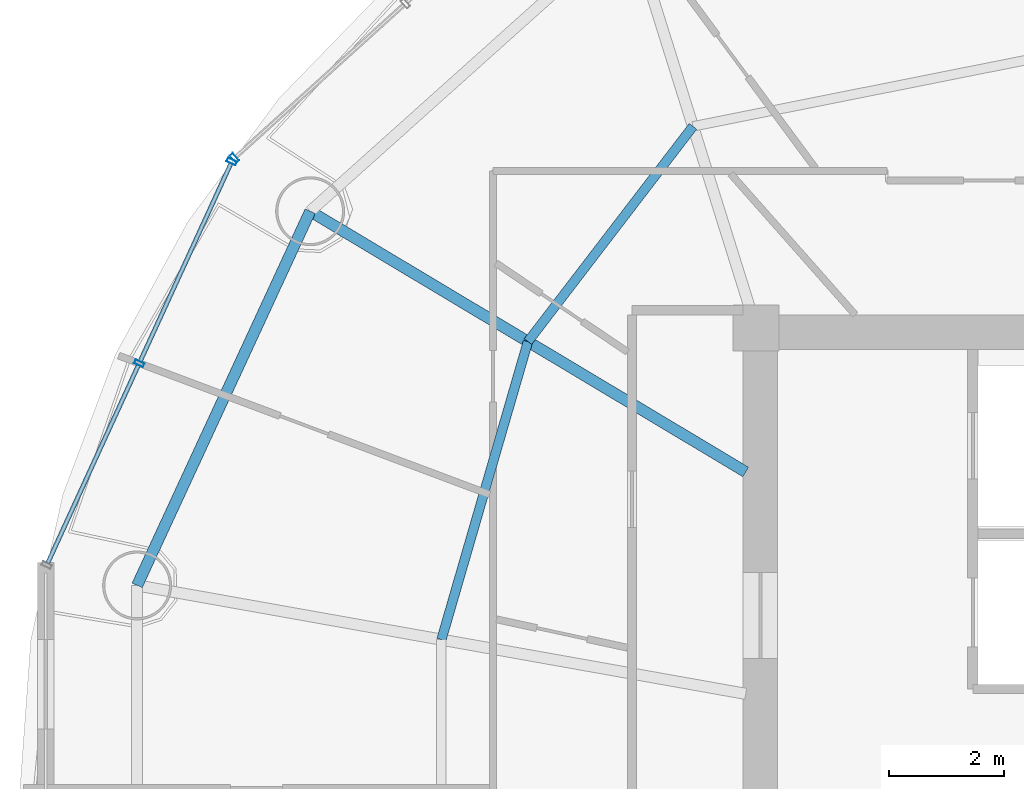
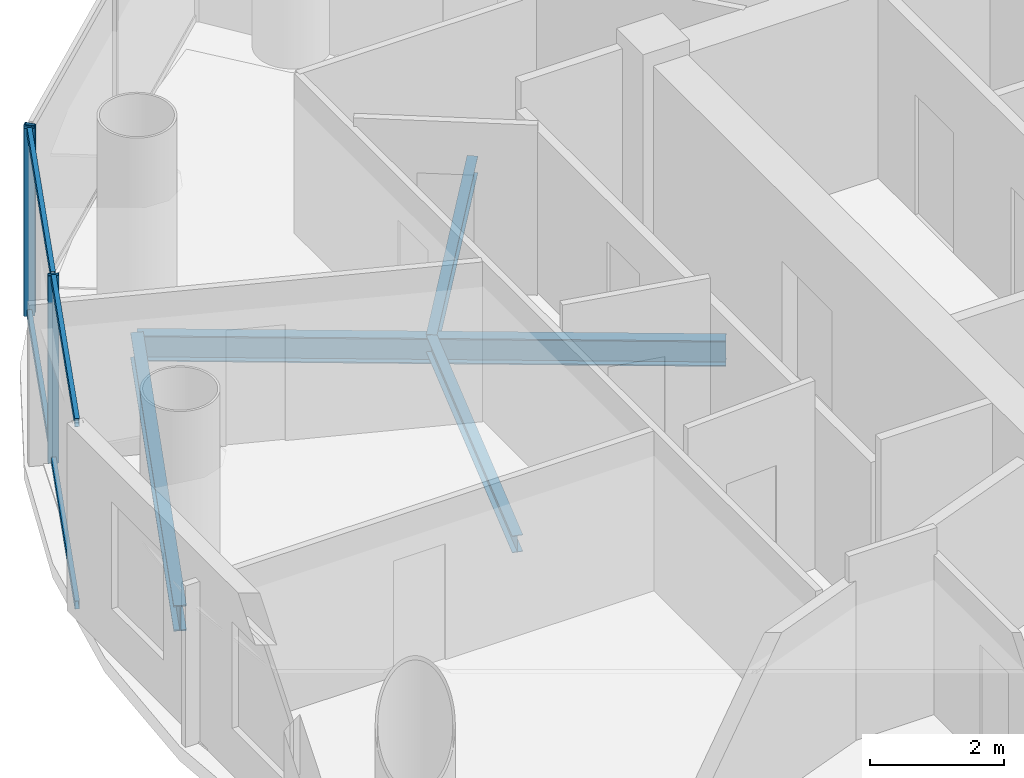
# One storey, part 8 of 26: 7 members, 4 beams, 2 elements without a shape of their own.
"""IFC4 building model written with IfcOpenShell, lengths in metres."""

from ifc_helpers import new_model, si_unit, direction, frame, origin, origin_2d, place, context, subcontext, project, spatial, hollow_rectangle, i_section, extrude, source, transform, mapped, material, material_profile, profile_set, type_object, element, aggregate, save


model = new_model("IFC4")

# Units and contexts
model_context = context("Model", 3, precision=1e-05, world=origin(), true_north=direction((-0.2419218956, 0.970295726276)))
body_context = subcontext(model_context, "Body", "Model", "MODEL_VIEW")
ifc_project = project(units=[si_unit("LENGTHUNIT", "METRE"), si_unit("AREAUNIT", "SQUARE_METRE"), si_unit("VOLUMEUNIT", "CUBIC_METRE"), si_unit("PLANEANGLEUNIT", "RADIAN"), si_unit("MASSUNIT", "GRAM", prefix="KILO")], contexts=[model_context])

# Site, building, storey
site_placement = place(None, origin())
site = spatial("IfcSite", under=ifc_project, at=site_placement, CompositionType="ELEMENT")
building_placement = place(site_placement, origin())
building = spatial("IfcBuilding", under=site, at=building_placement, Name="Cobrevalo Terracotta Tower", CompositionType="ELEMENT")
storey_placement = place(building_placement, frame((0.0, 0.0, 206.0)))
storey = spatial("IfcBuildingStorey", under=building, at=storey_placement, Name="L54", CompositionType="ELEMENT", Elevation=206.0)

# Beams
ifc_material_1 = material(Name="Steel S355", Category="steel")
ifc_material_profile_1 = material_profile(ifc_material_1, i_section(OverallWidth=0.194091796875, OverallDepth=0.468994140625, WebThickness=0.011474609375, FlangeThickness=0.0205078125, at=origin_2d()), Name="W 460x106")
ifc_profile_set_1 = profile_set([ifc_material_profile_1], Name="Steel S355")
beam_type_1 = type_object("IfcBeamType", Name="Structural Beam W 460x106 (Steel S355)", PredefinedType="BEAM", material=ifc_profile_set_1)
beam_1_placement = place(storey_placement, frame((21.245849609375, 36.828125, -0.49951171875), z_axis=(0.858046392192, -0.513572184651, 0.0), x_axis=(0.513572184651, 0.858046392192, 0.0)))
element("IfcBeam", 1, at=beam_1_placement, inside=storey, type_object=beam_type_1, Name="L54 radial floor girder 07", PredefinedType="BEAM", context=body_context, shape_type="SweptSolid", body=[
    extrude(i_section(OverallWidth=0.194091796875, OverallDepth=0.468994140625, WebThickness=0.011474609375, FlangeThickness=0.0205078125, at=origin_2d()), origin(), (0.0, 0.0, 1.0), 8.827392578125),
])
ifc_material_profile_2 = material_profile(ifc_material_1, i_section(OverallWidth=0.1650390625, OverallDepth=0.31005859375, WebThickness=0.005859375, FlangeThickness=0.009765625, at=origin_2d()), Name="W 310x38.7")
ifc_profile_set_2 = profile_set([ifc_material_profile_2], Name="Steel S355")
beam_type_2 = type_object("IfcBeamType", Name="Structural Joist W 310x38.7 (Steel S355)", PredefinedType="JOIST", material=ifc_profile_set_2)
beam_2_placement = place(storey_placement, frame((27.902587890625, 38.303955078125, -0.419921875), z_axis=(-0.608464146296, -0.793581364872, 0.0), x_axis=(0.793581364872, -0.608464146296, 0.0)))
element("IfcBeam", 2, at=beam_2_placement, inside=storey, type_object=beam_type_2, Name="L54 circumferential secondary floor joist 06", PredefinedType="JOIST", context=body_context, shape_type="SweptSolid", body=[
    extrude(i_section(OverallWidth=0.1650390625, OverallDepth=0.31005859375, WebThickness=0.005859375, FlangeThickness=0.009765625, at=origin_2d()), origin(), (0.0, 0.0, 1.0), 4.716064453125),
])
beam_3_placement = place(storey_placement, frame((25.032958984375, 34.561279296875, -0.419921875), z_axis=(-0.278769817131, -0.960357948401, 0.0), x_axis=(0.960357948401, -0.278769817131, 0.0)))
element("IfcBeam", 3, at=beam_3_placement, inside=storey, type_object=beam_type_2, Name="L54 circumferential secondary floor joist 07", PredefinedType="JOIST", context=body_context, shape_type="SweptSolid", body=[
    extrude(i_section(OverallWidth=0.1650390625, OverallDepth=0.31005859375, WebThickness=0.005859375, FlangeThickness=0.009765625, at=origin_2d()), origin(), (0.0, 0.0, 1.0), 5.396484375),
])
ifc_material_profile_3 = material_profile(ifc_material_1, i_section(OverallWidth=0.194091796875, OverallDepth=0.468994140625, WebThickness=0.011474609375, FlangeThickness=0.0205078125, at=origin_2d()), Name="W 460x106")
ifc_profile_set_3 = profile_set([ifc_material_profile_3], Name="Steel S355")
beam_type_3 = type_object("IfcBeamType", Name="Structural Spandrel W 460x106 (Steel S355)", PredefinedType="SPANDREL", material=ifc_profile_set_3)
beam_4_placement = place(storey_placement, frame((21.245849609375, 36.828125, -0.49951171875), z_axis=(-0.419705965131, -0.907660125176, 0.0), x_axis=(0.907660125176, -0.419705965131, 0.0)))
element("IfcBeam", 4, at=beam_4_placement, inside=storey, type_object=beam_type_3, Name="L54 perimeter ring spandrel 07", PredefinedType="SPANDREL", context=body_context, shape_type="SweptSolid", body=[
    extrude(i_section(OverallWidth=0.194091796875, OverallDepth=0.468994140625, WebThickness=0.011474609375, FlangeThickness=0.0205078125, at=origin_2d()), origin(), (0.0, 0.0, 1.0), 7.168701171875),
])

# Curtain wall, members
ifc_material_2 = material(Name="Anodized aluminium", Category="aluminium")
curtain_wall_type = type_object("IfcCurtainWallType", Name="Mid-tower high-wind unitised curtain wall CW-U2", PredefinedType="NOTDEFINED", material=ifc_material_2)
curtain_wall_1_placement = place(storey_placement, origin())
curtain_wall_1 = element("IfcCurtainWall", 5, at=curtain_wall_1_placement, inside=storey, type_object=curtain_wall_type, Name="L54 curtain wall CW-L54-S07", PredefinedType="NOTDEFINED")
ifc_material_profile_4 = material_profile(ifc_material_2, hollow_rectangle(XDim=0.074951171875, YDim=0.14990234375, WallThickness=0.00439453125, at=origin_2d()), Name="CWT 75x150")
ifc_profile_set_4 = profile_set([ifc_material_profile_4], Name="Anodized aluminium")
member_type_1 = type_object("IfcMemberType", Name="Tower unitised aluminium transom 75x150", PredefinedType="USERDEFINED", material=ifc_profile_set_4)
shared_shape_1 = source(origin(), body_context, "Body", "SweptSolid", [
    extrude(hollow_rectangle(XDim=0.074951171875, YDim=0.14990234375, WallThickness=0.00439453125, at=origin_2d()), origin(), (0.0, 0.0, 1.0), 3.780029296875),
])
member_1_placement = place(storey_placement, frame((19.865478515625, 37.6552734375, 0.050048828125), z_axis=(-0.416705859352, -0.909041377926, 0.0), x_axis=(0.909041377926, -0.416705859352, 0.0)))
member_1 = element("IfcMember", 6, at=member_1_placement, type_object=member_type_1, Name="CW-L54-S07 transom B01-T1", ObjectType="TRANSOM", PredefinedType="USERDEFINED", context=body_context, shape_type="MappedRepresentation", body=[
    mapped(shared_shape_1, transform((0.0, 0.0, 0.0), scale=1.0)),
])
member_2_placement = place(storey_placement, frame((19.865478515625, 37.6552734375, 3.385009765625), z_axis=(-0.416705859352, -0.909041377926, 0.0), x_axis=(0.909041377926, -0.416705859352, 0.0)))
member_2 = element("IfcMember", 7, at=member_2_placement, type_object=member_type_1, Name="CW-L54-S07 transom B01-T2", ObjectType="TRANSOM", PredefinedType="USERDEFINED", context=body_context, shape_type="MappedRepresentation", body=[
    mapped(shared_shape_1, transform((0.0, 0.0, 0.0), scale=1.0)),
])
member_3_placement = place(storey_placement, frame((18.2568359375, 34.146484375, 0.050048828125), z_axis=(-0.416705859352, -0.909041377926, 0.0), x_axis=(0.909041377926, -0.416705859352, 0.0)))
member_3 = element("IfcMember", 8, at=member_3_placement, type_object=member_type_1, Name="CW-L54-S07 transom B02-T1", ObjectType="TRANSOM", PredefinedType="USERDEFINED", context=body_context, shape_type="MappedRepresentation", body=[
    mapped(shared_shape_1, transform((0.0, 0.0, 0.0), scale=1.0)),
])
member_4_placement = place(storey_placement, frame((18.2568359375, 34.146484375, 3.385009765625), z_axis=(-0.416705859352, -0.909041377926, 0.0), x_axis=(0.909041377926, -0.416705859352, 0.0)))
member_4 = element("IfcMember", 9, at=member_4_placement, type_object=member_type_1, Name="CW-L54-S07 transom B02-T2", ObjectType="TRANSOM", PredefinedType="USERDEFINED", context=body_context, shape_type="MappedRepresentation", body=[
    mapped(shared_shape_1, transform((0.0, 0.0, 0.0), scale=1.0)),
])

# Curtain wall, member
curtain_wall_2_placement = place(storey_placement, origin())
curtain_wall_2 = element("IfcCurtainWall", 10, at=curtain_wall_2_placement, inside=storey, type_object=curtain_wall_type, Name="L54 curtain wall CW-L54-S06", PredefinedType="NOTDEFINED")
ifc_material_profile_5 = material_profile(ifc_material_2, hollow_rectangle(XDim=0.070068359375, YDim=0.169921875, WallThickness=0.00439453125, at=origin_2d()), Name="CWM 70x170")
ifc_profile_set_5 = profile_set([ifc_material_profile_5], Name="Anodized aluminium")
member_type_2 = type_object("IfcMemberType", Name="Upper tower unitised mullion 70x170", PredefinedType="MULLION", material=ifc_profile_set_5)
shared_shape_2 = source(origin(), body_context, "Body", "SweptSolid", [
    extrude(hollow_rectangle(XDim=0.070068359375, YDim=0.169921875, WallThickness=0.00439453125, at=origin_2d()), origin(), (0.0, 0.0, 1.0), 3.43505859375),
])
member_5_placement = place(storey_placement, frame((19.928466796875, 37.7548828125, 0.0), z_axis=(0.0, 0.0, 1.0), x_axis=(-0.741987542015, -0.670413668935, 0.0)))
member_5 = element("IfcMember", 11, at=member_5_placement, type_object=member_type_2, Name="CW-L54-S06 vertical mullion 03", PredefinedType="MULLION", context=body_context, shape_type="MappedRepresentation", body=[
    mapped(shared_shape_2, transform((0.0, 0.0, 0.0), scale=1.0)),
])
aggregate(curtain_wall_2, [member_5])

# Member
member_6_placement = place(storey_placement, frame((19.88232421875, 37.691650390625, 0.0), z_axis=(0.0, 0.0, 1.0), x_axis=(-0.41672507912, -0.909032567311, 0.0)))
member_6 = element("IfcMember", 12, at=member_6_placement, type_object=member_type_2, Name="CW-L54-S07 vertical mullion 01", PredefinedType="MULLION", context=body_context, shape_type="MappedRepresentation", body=[
    mapped(shared_shape_2, transform((0.0, 0.0, 0.0), scale=1.0)),
])

member_7_placement = place(storey_placement, frame((18.273681640625, 34.182861328125, 0.0), z_axis=(0.0, 0.0, 1.0), x_axis=(-0.41672507912, -0.909032567311, 0.0)))
member_7 = element("IfcMember", 13, at=member_7_placement, type_object=member_type_2, Name="CW-L54-S07 vertical mullion 02", PredefinedType="MULLION", context=body_context, shape_type="MappedRepresentation", body=[
    mapped(shared_shape_2, transform((0.0, 0.0, 0.0), scale=1.0)),
])

aggregate(curtain_wall_1, [member_6, member_7, member_1, member_2, member_3, member_4])

save(model, "model.ifc")
